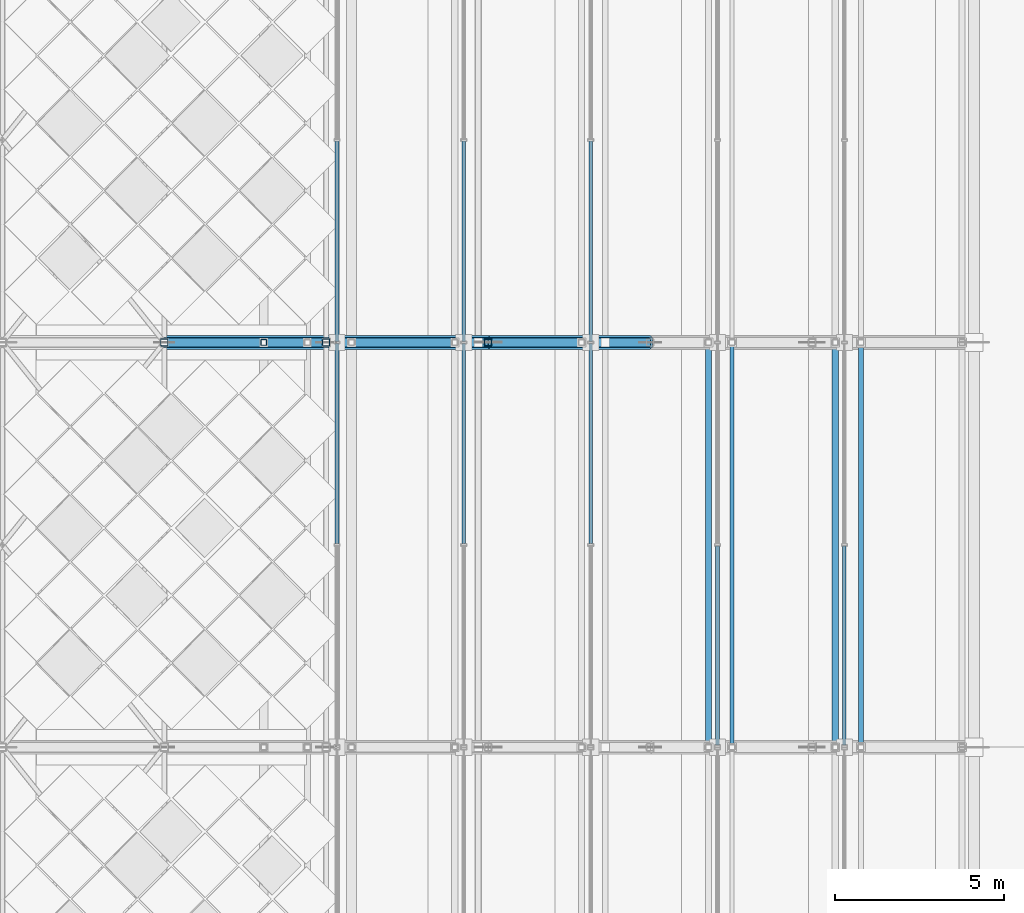
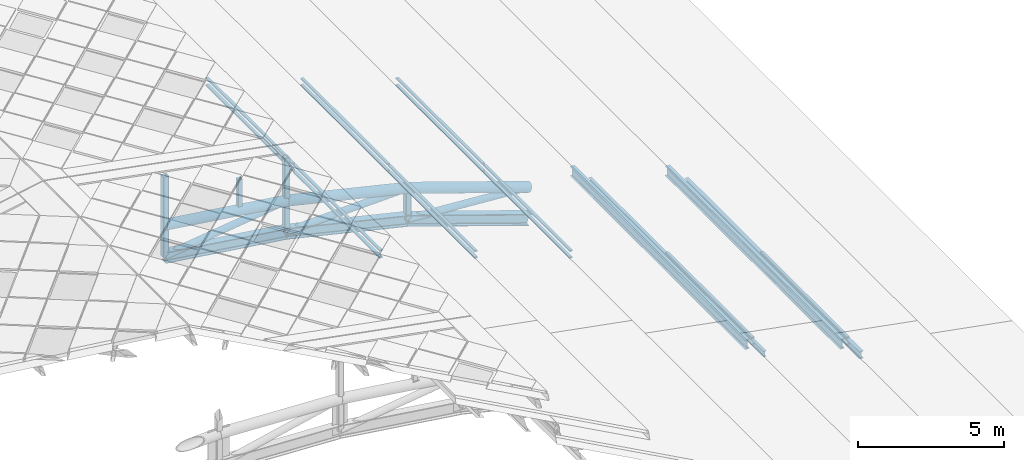
# One storey, part 27 of 117: 33 members, 5 elements without a shape of their own.
"""IFC4 building model written with IfcOpenShell, lengths in metres."""

from ifc_helpers import new_model, si_unit, direction, frame, origin, origin_2d, place, context, subcontext, project, spatial, hollow_rectangle, hollow_circle, i_section, extrude, material, material_profile, profile_set, type_object, element, aggregate, save


model = new_model("IFC4")

# Units and contexts
model_context = context("Model", 3, precision=1e-05, world=origin(), true_north=direction((0.0, 1.0)))
body_context = subcontext(model_context, "Body", "Model", "MODEL_VIEW")
ifc_project = project(units=[si_unit("LENGTHUNIT", "METRE"), si_unit("AREAUNIT", "SQUARE_METRE"), si_unit("VOLUMEUNIT", "CUBIC_METRE"), si_unit("PLANEANGLEUNIT", "RADIAN"), si_unit("MASSUNIT", "GRAM", prefix="KILO")], contexts=[model_context])

# Site, building, storey
site_placement = place(None, origin())
site = spatial("IfcSite", under=ifc_project, at=site_placement, CompositionType="ELEMENT")
building_placement = place(site_placement, origin())
building = spatial("IfcBuilding", under=site, at=building_placement, Name="Merenkruunu Market Hall", CompositionType="ELEMENT")
storey_placement = place(building_placement, frame((0.0, 0.0, 22.800048828125)))
storey = spatial("IfcBuildingStorey", under=building, at=storey_placement, Name="RF", CompositionType="ELEMENT", Elevation=22.800048828125)

# Members
ifc_material_1 = material(Name="Steel S355ML", Category="steel")
ifc_material_profile_1 = material_profile(ifc_material_1, hollow_circle(Radius=0.203125, WallThickness=0.01611328125, at=origin_2d()), Name="CHS 406.4x16")
ifc_profile_set_1 = profile_set([ifc_material_profile_1], Name="Steel S355ML")
member_type_1 = type_object("IfcMemberType", Name="Arch Truss Chord TC02", PredefinedType="CHORD", material=ifc_profile_set_1)
member_1_placement = place(storey_placement, frame((33.60009765625, 75.60009765625, -1.66796875), z_axis=(0.99033759622, 0.0, -0.138677487406), x_axis=(0.0, 1.0, 0.0)))
element("IfcMember", 1, at=member_1_placement, inside=storey, type_object=member_type_1, Name="TRUSS-AT-6-TOP-08", PredefinedType="CHORD", context=body_context, shape_type="SweptSolid", body=[
    extrude(hollow_circle(Radius=0.203125, WallThickness=0.01611328125, at=origin_2d()), origin(), (0.0, 0.0, 1.0), 4.8466796875),
])
member_2_placement = place(storey_placement, frame((38.39990234375, 75.60009765625, -2.340087890625), z_axis=(0.972941974064, 0.0, -0.231049594471), x_axis=(0.0, 1.0, 0.0)))
element("IfcMember", 2, at=member_2_placement, inside=storey, type_object=member_type_1, Name="TRUSS-AT-6-TOP-09", PredefinedType="CHORD", context=body_context, shape_type="SweptSolid", body=[
    extrude(hollow_circle(Radius=0.203125, WallThickness=0.01611328125, at=origin_2d()), origin(), (0.0, 0.0, 1.0), 4.93359375),
])
member_3_placement = place(storey_placement, frame((43.199951171875, 75.60009765625, -3.47998046875), z_axis=(0.946224865418, 0.0, -0.323509666107), x_axis=(0.0, 1.0, 0.0)))
element("IfcMember", 3, at=member_3_placement, inside=storey, type_object=member_type_1, Name="TRUSS-AT-6-TOP-10", PredefinedType="CHORD", context=body_context, shape_type="SweptSolid", body=[
    extrude(hollow_circle(Radius=0.203125, WallThickness=0.01611328125, at=origin_2d()), origin(), (0.0, 0.0, 1.0), 5.07275390625),
])
ifc_material_profile_2 = material_profile(ifc_material_1, i_section(OverallWidth=0.300048828125, OverallDepth=0.449951171875, WebThickness=0.013916015625, FlangeThickness=0.02587890625, FilletRadius=0.027099609375, at=origin_2d()), Name="HEB 450")
ifc_profile_set_2 = profile_set([ifc_material_profile_2], Name="Steel S355ML")
member_type_2 = type_object("IfcMemberType", Name="Arch Truss Chord TC04", PredefinedType="CHORD", material=ifc_profile_set_2)
member_4_placement = place(storey_placement, frame((33.60009765625, 75.60009765625, -2.968017578125), z_axis=(0.99033759622, 0.0, -0.138677487406), x_axis=(0.0, 1.0, 0.0)))
element("IfcMember", 4, at=member_4_placement, inside=storey, type_object=member_type_2, Name="TRUSS-AT-6-BOT-08", PredefinedType="CHORD", context=body_context, shape_type="SweptSolid", body=[
    extrude(i_section(OverallWidth=0.300048828125, OverallDepth=0.449951171875, WebThickness=0.013916015625, FlangeThickness=0.02587890625, FilletRadius=0.027099609375, at=origin_2d()), origin(), (0.0, 0.0, 1.0), 4.8466796875),
])
member_5_placement = place(storey_placement, frame((38.39990234375, 75.60009765625, -3.64013671875), z_axis=(0.972941974064, 0.0, -0.231049594471), x_axis=(0.0, 1.0, 0.0)))
element("IfcMember", 5, at=member_5_placement, inside=storey, type_object=member_type_2, Name="TRUSS-AT-6-BOT-09", PredefinedType="CHORD", context=body_context, shape_type="SweptSolid", body=[
    extrude(i_section(OverallWidth=0.300048828125, OverallDepth=0.449951171875, WebThickness=0.013916015625, FlangeThickness=0.02587890625, FilletRadius=0.027099609375, at=origin_2d()), origin(), (0.0, 0.0, 1.0), 4.93359375),
])
member_6_placement = place(storey_placement, frame((43.199951171875, 75.60009765625, -4.780029296875), z_axis=(0.946224865418, 0.0, -0.323509666107), x_axis=(0.0, 1.0, 0.0)))
element("IfcMember", 6, at=member_6_placement, inside=storey, type_object=member_type_2, Name="TRUSS-AT-6-BOT-10", PredefinedType="CHORD", context=body_context, shape_type="SweptSolid", body=[
    extrude(i_section(OverallWidth=0.300048828125, OverallDepth=0.449951171875, WebThickness=0.013916015625, FlangeThickness=0.02587890625, FilletRadius=0.027099609375, at=origin_2d()), origin(), (0.0, 0.0, 1.0), 5.07275390625),
])

# Curtain wall, members
ifc_material_2 = material(Name="Powder-coated aluminium", Category="aluminium")
curtain_wall_type = type_object("IfcCurtainWallType", Name="Clerestory Curtain Band CL05", PredefinedType="USERDEFINED", material=ifc_material_2)
curtain_wall_1_placement = place(storey_placement, origin())
curtain_wall_1 = element("IfcCurtainWall", 7, at=curtain_wall_1_placement, inside=storey, type_object=curtain_wall_type, Name="CW-RF-CWM04-086", ObjectType="CLERESTORY_BAND", PredefinedType="USERDEFINED")
ifc_material_profile_3 = material_profile(ifc_material_2, hollow_rectangle(XDim=0.06005859375, YDim=0.110107421875, WallThickness=0.00390625, at=origin_2d()), Name="ALU 60x110x4")
ifc_profile_set_3 = profile_set([ifc_material_profile_3], Name="Powder-coated aluminium")
member_type_3 = type_object("IfcMemberType", Name="Curtain Wall Transom CWT03", PredefinedType="USERDEFINED", material=ifc_profile_set_3)
member_7_placement = place(storey_placement, frame((53.760009765625, 69.56494140625, -6.491943359375), z_axis=(0.0, -1.0, 0.0), x_axis=(0.0, 0.0, 1.0)))
member_7 = element("IfcMember", 8, at=member_7_placement, type_object=member_type_3, Name="CL05 transom 4.1", ObjectType="TRANSOM", PredefinedType="USERDEFINED", context=body_context, shape_type="SweptSolid", body=[
    extrude(hollow_rectangle(XDim=0.06005859375, YDim=0.110107421875, WallThickness=0.00390625, at=origin_2d()), origin(), (0.0, 0.0, 1.0), 5.89501953125),
])
member_8_placement = place(storey_placement, frame((53.760009765625, 69.56494140625, -6.2041015625), z_axis=(0.0, -1.0, 0.0), x_axis=(0.0, 0.0, 1.0)))
member_8 = element("IfcMember", 9, at=member_8_placement, type_object=member_type_3, Name="CL05 transom 4.2", ObjectType="TRANSOM", PredefinedType="USERDEFINED", context=body_context, shape_type="SweptSolid", body=[
    extrude(hollow_rectangle(XDim=0.06005859375, YDim=0.110107421875, WallThickness=0.00390625, at=origin_2d()), origin(), (0.0, 0.0, 1.0), 5.89501953125),
])
aggregate(curtain_wall_1, [member_7, member_8])

curtain_wall_2_placement = place(storey_placement, origin())
curtain_wall_2 = element("IfcCurtainWall", 10, at=curtain_wall_2_placement, inside=storey, type_object=curtain_wall_type, Name="CW-RF-CWM04-094", ObjectType="CLERESTORY_BAND", PredefinedType="USERDEFINED")
member_9_placement = place(storey_placement, frame((50.0, 69.56494140625, -5.172119140625), z_axis=(0.0, -1.0, 0.0), x_axis=(0.0, 0.0, 1.0)))
member_9 = element("IfcMember", 11, at=member_9_placement, type_object=member_type_3, Name="CL05 transom 4.1", ObjectType="TRANSOM", PredefinedType="USERDEFINED", context=body_context, shape_type="SweptSolid", body=[
    extrude(hollow_rectangle(XDim=0.06005859375, YDim=0.110107421875, WallThickness=0.00390625, at=origin_2d()), origin(), (0.0, 0.0, 1.0), 5.89501953125),
])
member_10_placement = place(storey_placement, frame((50.0, 69.56494140625, -4.905029296875), z_axis=(0.0, -1.0, 0.0), x_axis=(0.0, 0.0, 1.0)))
member_10 = element("IfcMember", 12, at=member_10_placement, type_object=member_type_3, Name="CL05 transom 4.2", ObjectType="TRANSOM", PredefinedType="USERDEFINED", context=body_context, shape_type="SweptSolid", body=[
    extrude(hollow_rectangle(XDim=0.06005859375, YDim=0.110107421875, WallThickness=0.00390625, at=origin_2d()), origin(), (0.0, 0.0, 1.0), 5.89501953125),
])
aggregate(curtain_wall_2, [member_9, member_10])

curtain_wall_3_placement = place(storey_placement, origin())
curtain_wall_3 = element("IfcCurtainWall", 13, at=curtain_wall_3_placement, inside=storey, type_object=curtain_wall_type, Name="CW-RF-CWM04-102", ObjectType="CLERESTORY_BAND", PredefinedType="USERDEFINED")
member_11_placement = place(storey_placement, frame((46.239990234375, 81.56494140625, -3.85205078125), z_axis=(0.0, -1.0, 0.0), x_axis=(0.0, 0.0, 1.0)))
member_11 = element("IfcMember", 14, at=member_11_placement, type_object=member_type_3, Name="CL05 transom 2.1", ObjectType="TRANSOM", PredefinedType="USERDEFINED", context=body_context, shape_type="SweptSolid", body=[
    extrude(hollow_rectangle(XDim=0.06005859375, YDim=0.110107421875, WallThickness=0.00390625, at=origin_2d()), origin(), (0.0, 0.0, 1.0), 5.929931640625),
])
member_12_placement = place(storey_placement, frame((46.239990234375, 81.56494140625, -3.56396484375), z_axis=(0.0, -1.0, 0.0), x_axis=(0.0, 0.0, 1.0)))
member_12 = element("IfcMember", 15, at=member_12_placement, type_object=member_type_3, Name="CL05 transom 2.2", ObjectType="TRANSOM", PredefinedType="USERDEFINED", context=body_context, shape_type="SweptSolid", body=[
    extrude(hollow_rectangle(XDim=0.06005859375, YDim=0.110107421875, WallThickness=0.00390625, at=origin_2d()), origin(), (0.0, 0.0, 1.0), 5.929931640625),
])
member_13_placement = place(storey_placement, frame((46.239990234375, 75.56494140625, -3.85205078125), z_axis=(0.0, -1.0, 0.0), x_axis=(0.0, 0.0, 1.0)))
member_13 = element("IfcMember", 16, at=member_13_placement, type_object=member_type_3, Name="CL05 transom 3.1", ObjectType="TRANSOM", PredefinedType="USERDEFINED", context=body_context, shape_type="SweptSolid", body=[
    extrude(hollow_rectangle(XDim=0.06005859375, YDim=0.110107421875, WallThickness=0.00390625, at=origin_2d()), origin(), (0.0, 0.0, 1.0), 5.929931640625),
])
member_14_placement = place(storey_placement, frame((46.239990234375, 75.56494140625, -3.56396484375), z_axis=(0.0, -1.0, 0.0), x_axis=(0.0, 0.0, 1.0)))
member_14 = element("IfcMember", 17, at=member_14_placement, type_object=member_type_3, Name="CL05 transom 3.2", ObjectType="TRANSOM", PredefinedType="USERDEFINED", context=body_context, shape_type="SweptSolid", body=[
    extrude(hollow_rectangle(XDim=0.06005859375, YDim=0.110107421875, WallThickness=0.00390625, at=origin_2d()), origin(), (0.0, 0.0, 1.0), 5.929931640625),
])
aggregate(curtain_wall_3, [member_11, member_12, member_13, member_14])

curtain_wall_4_placement = place(storey_placement, origin())
curtain_wall_4 = element("IfcCurtainWall", 18, at=curtain_wall_4_placement, inside=storey, type_object=curtain_wall_type, Name="CW-RF-CWM04-110", ObjectType="CLERESTORY_BAND", PredefinedType="USERDEFINED")
member_15_placement = place(storey_placement, frame((42.47998046875, 81.56494140625, -2.531982421875), z_axis=(0.0, -1.0, 0.0), x_axis=(0.0, 0.0, 1.0)))
member_15 = element("IfcMember", 19, at=member_15_placement, type_object=member_type_3, Name="CL05 transom 2.1", ObjectType="TRANSOM", PredefinedType="USERDEFINED", context=body_context, shape_type="SweptSolid", body=[
    extrude(hollow_rectangle(XDim=0.06005859375, YDim=0.110107421875, WallThickness=0.00390625, at=origin_2d()), origin(), (0.0, 0.0, 1.0), 5.929931640625),
])
member_16_placement = place(storey_placement, frame((42.47998046875, 81.56494140625, -2.26513671875), z_axis=(0.0, -1.0, 0.0), x_axis=(0.0, 0.0, 1.0)))
member_16 = element("IfcMember", 20, at=member_16_placement, type_object=member_type_3, Name="CL05 transom 2.2", ObjectType="TRANSOM", PredefinedType="USERDEFINED", context=body_context, shape_type="SweptSolid", body=[
    extrude(hollow_rectangle(XDim=0.06005859375, YDim=0.110107421875, WallThickness=0.00390625, at=origin_2d()), origin(), (0.0, 0.0, 1.0), 5.929931640625),
])
member_17_placement = place(storey_placement, frame((42.47998046875, 75.56494140625, -2.531982421875), z_axis=(0.0, -1.0, 0.0), x_axis=(0.0, 0.0, 1.0)))
member_17 = element("IfcMember", 21, at=member_17_placement, type_object=member_type_3, Name="CL05 transom 3.1", ObjectType="TRANSOM", PredefinedType="USERDEFINED", context=body_context, shape_type="SweptSolid", body=[
    extrude(hollow_rectangle(XDim=0.06005859375, YDim=0.110107421875, WallThickness=0.00390625, at=origin_2d()), origin(), (0.0, 0.0, 1.0), 5.929931640625),
])
member_18_placement = place(storey_placement, frame((42.47998046875, 75.56494140625, -2.26513671875), z_axis=(0.0, -1.0, 0.0), x_axis=(0.0, 0.0, 1.0)))
member_18 = element("IfcMember", 22, at=member_18_placement, type_object=member_type_3, Name="CL05 transom 3.2", ObjectType="TRANSOM", PredefinedType="USERDEFINED", context=body_context, shape_type="SweptSolid", body=[
    extrude(hollow_rectangle(XDim=0.06005859375, YDim=0.110107421875, WallThickness=0.00390625, at=origin_2d()), origin(), (0.0, 0.0, 1.0), 5.929931640625),
])
aggregate(curtain_wall_4, [member_15, member_16, member_17, member_18])

curtain_wall_5_placement = place(storey_placement, origin())
curtain_wall_5 = element("IfcCurtainWall", 23, at=curtain_wall_5_placement, inside=storey, type_object=curtain_wall_type, Name="CW-RF-CWM04-118", ObjectType="CLERESTORY_BAND", PredefinedType="USERDEFINED")
member_19_placement = place(storey_placement, frame((38.719970703125, 81.56494140625, -1.212158203125), z_axis=(0.0, -1.0, 0.0), x_axis=(0.0, 0.0, 1.0)))
member_19 = element("IfcMember", 24, at=member_19_placement, type_object=member_type_3, Name="CL05 transom 2.1", ObjectType="TRANSOM", PredefinedType="USERDEFINED", context=body_context, shape_type="SweptSolid", body=[
    extrude(hollow_rectangle(XDim=0.06005859375, YDim=0.110107421875, WallThickness=0.00390625, at=origin_2d()), origin(), (0.0, 0.0, 1.0), 5.929931640625),
])
member_20_placement = place(storey_placement, frame((38.719970703125, 81.56494140625, -0.924072265625), z_axis=(0.0, -1.0, 0.0), x_axis=(0.0, 0.0, 1.0)))
member_20 = element("IfcMember", 25, at=member_20_placement, type_object=member_type_3, Name="CL05 transom 2.2", ObjectType="TRANSOM", PredefinedType="USERDEFINED", context=body_context, shape_type="SweptSolid", body=[
    extrude(hollow_rectangle(XDim=0.06005859375, YDim=0.110107421875, WallThickness=0.00390625, at=origin_2d()), origin(), (0.0, 0.0, 1.0), 5.929931640625),
])
member_21_placement = place(storey_placement, frame((38.719970703125, 75.56494140625, -1.212158203125), z_axis=(0.0, -1.0, 0.0), x_axis=(0.0, 0.0, 1.0)))
member_21 = element("IfcMember", 26, at=member_21_placement, type_object=member_type_3, Name="CL05 transom 3.1", ObjectType="TRANSOM", PredefinedType="USERDEFINED", context=body_context, shape_type="SweptSolid", body=[
    extrude(hollow_rectangle(XDim=0.06005859375, YDim=0.110107421875, WallThickness=0.00390625, at=origin_2d()), origin(), (0.0, 0.0, 1.0), 5.929931640625),
])
member_22_placement = place(storey_placement, frame((38.719970703125, 75.56494140625, -0.924072265625), z_axis=(0.0, -1.0, 0.0), x_axis=(0.0, 0.0, 1.0)))
member_22 = element("IfcMember", 27, at=member_22_placement, type_object=member_type_3, Name="CL05 transom 3.2", ObjectType="TRANSOM", PredefinedType="USERDEFINED", context=body_context, shape_type="SweptSolid", body=[
    extrude(hollow_rectangle(XDim=0.06005859375, YDim=0.110107421875, WallThickness=0.00390625, at=origin_2d()), origin(), (0.0, 0.0, 1.0), 5.929931640625),
])
aggregate(curtain_wall_5, [member_19, member_20, member_21, member_22])

# Members
ifc_material_profile_4 = material_profile(ifc_material_1, hollow_circle(Radius=0.136474609375, WallThickness=0.012451171875, at=origin_2d()), Name="CHS 273x12.5")
ifc_profile_set_4 = profile_set([ifc_material_profile_4], Name="Steel S355ML")
member_type_4 = type_object("IfcMemberType", Name="Diagonal Sway Brace BR02", PredefinedType="BRACE", material=ifc_profile_set_4)
member_23_placement = place(storey_placement, frame((33.60009765625, 75.60009765625, -2.968017578125), z_axis=(0.99155084109, 0.0, 0.129718655304), x_axis=(0.0, 1.0, 0.0)))
element("IfcMember", 28, at=member_23_placement, inside=storey, type_object=member_type_4, Name="TRUSS-AT-6-DIAG-08", PredefinedType="BRACE", context=body_context, shape_type="SweptSolid", body=[
    extrude(hollow_circle(Radius=0.136474609375, WallThickness=0.012451171875, at=origin_2d()), origin(), (0.0, 0.0, 1.0), 4.8408203125),
])
member_24_placement = place(storey_placement, frame((38.39990234375, 75.60009765625, -3.64013671875), z_axis=(0.999443834494, 0.0, 0.033346989239), x_axis=(0.0, 1.0, 0.0)))
element("IfcMember", 29, at=member_24_placement, inside=storey, type_object=member_type_4, Name="TRUSS-AT-6-DIAG-09", PredefinedType="BRACE", context=body_context, shape_type="SweptSolid", body=[
    extrude(hollow_circle(Radius=0.136474609375, WallThickness=0.012451171875, at=origin_2d()), origin(), (0.0, 0.0, 1.0), 4.802734375),
])
member_25_placement = place(storey_placement, frame((43.199951171875, 75.60009765625, -4.780029296875), z_axis=(0.997485156704, 0.0, -0.070875680989), x_axis=(0.0, 1.0, 0.0)))
element("IfcMember", 30, at=member_25_placement, inside=storey, type_object=member_type_4, Name="TRUSS-AT-6-DIAG-10", PredefinedType="BRACE", context=body_context, shape_type="SweptSolid", body=[
    extrude(hollow_circle(Radius=0.136474609375, WallThickness=0.012451171875, at=origin_2d()), origin(), (0.0, 0.0, 1.0), 4.812255859375),
])
ifc_material_3 = material(Name="Steel S355J2", Category="steel")
ifc_material_profile_5 = material_profile(ifc_material_3, hollow_rectangle(XDim=0.219970703125, YDim=0.219970703125, WallThickness=0.012451171875, InnerFilletRadius=0.012451171875, OuterFilletRadius=0.02490234375, at=origin_2d()), Name="SHS 220x220x12.5")
ifc_profile_set_5 = profile_set([ifc_material_profile_5], Name="Steel S355J2")
member_type_5 = type_object("IfcMemberType", Name="Diagonal Sway Brace BR04", PredefinedType="BRACE", material=ifc_profile_set_5)
member_26_placement = place(storey_placement, frame((33.60009765625, 75.60009765625, -2.968017578125), z_axis=(0.0, 0.0, 1.0), x_axis=(1.0, 0.0, 0.0)))
element("IfcMember", 31, at=member_26_placement, inside=storey, type_object=member_type_5, Name="TRUSS-AT-6-POST-07", PredefinedType="BRACE", context=body_context, shape_type="SweptSolid", body=[
    extrude(hollow_rectangle(XDim=0.219970703125, YDim=0.219970703125, WallThickness=0.012451171875, InnerFilletRadius=0.012451171875, OuterFilletRadius=0.02490234375, at=origin_2d()), origin(), (0.0, 0.0, 1.0), 3.3720703125),
])
member_27_placement = place(storey_placement, frame((38.39990234375, 75.60009765625, -3.64013671875), z_axis=(0.0, 0.0, 1.0), x_axis=(1.0, 0.0, 0.0)))
element("IfcMember", 32, at=member_27_placement, inside=storey, type_object=member_type_5, Name="TRUSS-AT-6-POST-08", PredefinedType="BRACE", context=body_context, shape_type="SweptSolid", body=[
    extrude(hollow_rectangle(XDim=0.219970703125, YDim=0.219970703125, WallThickness=0.012451171875, InnerFilletRadius=0.012451171875, OuterFilletRadius=0.02490234375, at=origin_2d()), origin(), (0.0, 0.0, 1.0), 3.1416015625),
])
member_28_placement = place(storey_placement, frame((43.199951171875, 75.60009765625, -4.780029296875), z_axis=(0.0, 0.0, 1.0), x_axis=(1.0, 0.0, 0.0)))
element("IfcMember", 33, at=member_28_placement, inside=storey, type_object=member_type_5, Name="TRUSS-AT-6-POST-09", PredefinedType="BRACE", context=body_context, shape_type="SweptSolid", body=[
    extrude(hollow_rectangle(XDim=0.219970703125, YDim=0.219970703125, WallThickness=0.012451171875, InnerFilletRadius=0.012451171875, OuterFilletRadius=0.02490234375, at=origin_2d()), origin(), (0.0, 0.0, 1.0), 1.300048828125),
])
ifc_material_profile_6 = material_profile(ifc_material_3, hollow_rectangle(XDim=0.179931640625, YDim=0.179931640625, WallThickness=0.010009765625, InnerFilletRadius=0.010009765625, OuterFilletRadius=0.02001953125, at=origin_2d()), Name="SHS 180x180x10")
ifc_profile_set_6 = profile_set([ifc_material_profile_6], Name="Steel S355J2")
member_type_6 = type_object("IfcMemberType", Name="Diagonal Sway Brace BR05", PredefinedType="BRACE", material=ifc_profile_set_6)
member_29_placement = place(storey_placement, frame((36.550048828125, 75.60009765625, -1.889892578125), z_axis=(0.0, 0.0, 1.0), x_axis=(1.0, 0.0, 0.0)))
element("IfcMember", 34, at=member_29_placement, inside=storey, type_object=member_type_6, Name="TRUSS-AT-6-RISER-E6-2", PredefinedType="BRACE", context=body_context, shape_type="SweptSolid", body=[
    extrude(hollow_rectangle(XDim=0.179931640625, YDim=0.179931640625, WallThickness=0.010009765625, InnerFilletRadius=0.010009765625, OuterFilletRadius=0.02001953125, at=origin_2d()), origin(), (0.0, 0.0, 1.0), 1.12841796875),
])
ifc_material_profile_7 = material_profile(ifc_material_1, i_section(OverallWidth=0.14990234375, OverallDepth=0.300048828125, WebThickness=0.007080078125, FlangeThickness=0.0107421875, FilletRadius=0.014892578125, at=origin_2d()), Name="IPE 300")
ifc_profile_set_7 = profile_set([ifc_material_profile_7], Name="Steel S355ML")
member_type_7 = type_object("IfcMemberType", Name="Roof Purlin Rafter PR01", PredefinedType="PURLIN", material=ifc_profile_set_7)
member_30_placement = place(storey_placement, frame((54.25, 63.60009765625, -7.071533203125), z_axis=(0.0, 1.0, 0.0), x_axis=(-1.0, 0.0, 0.0)))
element("IfcMember", 35, at=member_30_placement, inside=storey, type_object=member_type_7, Name="MEM-RF-PURL-E-026", PredefinedType="PURLIN", context=body_context, shape_type="SweptSolid", body=[
    extrude(i_section(OverallWidth=0.14990234375, OverallDepth=0.300048828125, WebThickness=0.007080078125, FlangeThickness=0.0107421875, FilletRadius=0.014892578125, at=origin_2d()), origin(), (0.0, 0.0, 1.0), 12.0),
])
ifc_material_profile_8 = material_profile(ifc_material_1, i_section(OverallWidth=0.1201171875, OverallDepth=0.239990234375, WebThickness=0.006103515625, FlangeThickness=0.009765625, FilletRadius=0.014892578125, at=origin_2d()), Name="IPE 240")
ifc_profile_set_8 = profile_set([ifc_material_profile_8], Name="Steel S355ML")
member_type_8 = type_object("IfcMemberType", Name="Roof Purlin Rafter PR02", PredefinedType="PURLIN", material=ifc_profile_set_8)
member_31_placement = place(storey_placement, frame((50.429931640625, 63.60009765625, -5.687255859375), z_axis=(0.0, 1.0, 0.0), x_axis=(-1.0, 0.0, 0.0)))
element("IfcMember", 36, at=member_31_placement, inside=storey, type_object=member_type_8, Name="MEM-RF-PURL-E-058", PredefinedType="PURLIN", context=body_context, shape_type="SweptSolid", body=[
    extrude(i_section(OverallWidth=0.1201171875, OverallDepth=0.239990234375, WebThickness=0.006103515625, FlangeThickness=0.009765625, FilletRadius=0.014892578125, at=origin_2d()), origin(), (0.0, 0.0, 1.0), 12.0),
])
ifc_material_profile_9 = material_profile(ifc_material_1, i_section(OverallWidth=0.179931640625, OverallDepth=0.39990234375, WebThickness=0.008544921875, FlangeThickness=0.013427734375, FilletRadius=0.02099609375, at=origin_2d()), Name="IPE 400")
ifc_profile_set_9 = profile_set([ifc_material_profile_9], Name="Steel S355ML")
member_type_9 = type_object("IfcMemberType", Name="Roof Purlin Rafter PR09", PredefinedType="PURLIN", material=ifc_profile_set_9)
for number, where, z_axis, x_axis, name in (
    (37, (53.489990234375, 63.60009765625, -6.340087890625), (0.0, 1.0, 0.0), (-1.0, 0.0, 0.0), "MEM-RF-PURL-E-042"),
    (38, (49.72998046875, 63.60009765625, -5.040283203125), (0.0, 1.0, 0.0), (-1.0, 0.0, 0.0), "MEM-RF-PURL-E-074"),
):
    element("IfcMember", number, at=place(storey_placement, frame(where, z_axis=z_axis, x_axis=x_axis)), inside=storey, type_object=member_type_9, Name=name, PredefinedType="PURLIN", context=body_context, shape_type="SweptSolid", body=[
        extrude(i_section(OverallWidth=0.179931640625, OverallDepth=0.39990234375, WebThickness=0.008544921875, FlangeThickness=0.013427734375, FilletRadius=0.02099609375, at=origin_2d()), origin(), (0.0, 0.0, 1.0), 12.0),
    ])

save(model, "model.ifc")
